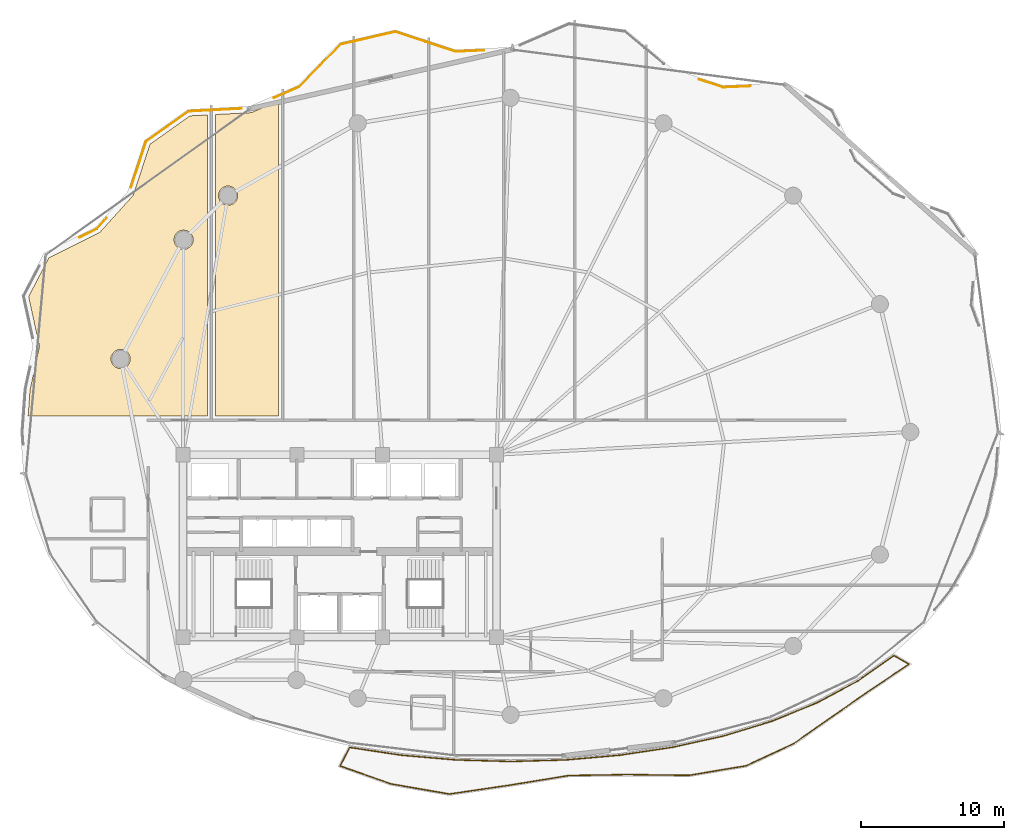
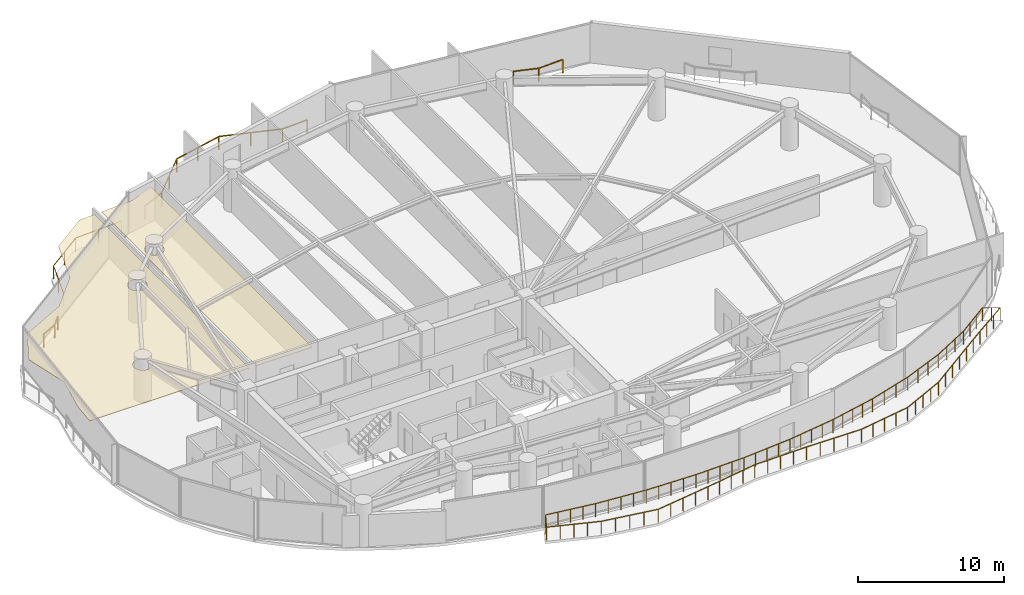
# One storey, part 32 of 33: 5 railings, 2 coverings.
"""IFC4 building model written with IfcOpenShell, lengths in metres."""

import ifcopenshell
import ifcopenshell.guid

model = None  # the IFC model being written
_history = None  # IfcOwnerHistory: only IFC2X3 demands one
_inside = {}  # id of a spatial element -> (the spatial element, [elements in it])
_under = {}  # id of a project, library or spatial element -> (it, [spatial elements below it])
_declared = {}  # id of a project -> (the project, [libraries it declares])
_typed = {}  # id of a type object -> (the type object, [elements of that type])
_made_of = {}  # id of a material, layer set ... -> (it, [elements and type objects made of it])


def new_model(schema):
    """Start an empty IFC model of exactly this schema.

    Asked for "IFC4X3", IfcOpenShell would pick the latest addendum, in which some entities
    have other attributes; the version numbers below select the first issue.
    IFC2X3 requires an IfcOwnerHistory on every rooted entity: one is made here for all.
    """
    global model, _history
    if schema == "IFC4X3":
        model = ifcopenshell.file(schema_version=(4, 3, 0, 0))
    else:
        model = ifcopenshell.file(schema=schema)
    _inside.clear()
    _under.clear()
    _declared.clear()
    _typed.clear()
    _made_of.clear()
    _history = None
    if model.schema == "IFC2X3":
        org = make("IfcOrganization", Name="unknown")
        user = make(
            "IfcPersonAndOrganization",
            ThePerson=make("IfcPerson", FamilyName="unknown"),
            TheOrganization=org,
        )
        app = make(
            "IfcApplication",
            ApplicationDeveloper=org,
            Version="unknown",
            ApplicationFullName="unknown",
            ApplicationIdentifier="unknown",
        )
        _history = make(
            "IfcOwnerHistory",
            OwningUser=user,
            OwningApplication=app,
            ChangeAction="ADDED",
            CreationDate=0,
        )
    return model


def make(cls, **values):
    """One entity of the class cls with the attributes given. An attribute that is None is left unset."""
    return model.create_entity(
        cls, **{name: value for name, value in values.items() if value is not None}
    )


def rooted(cls, **values):
    """An entity with a GlobalId (a new one), such as an element, a storey or a relation."""
    return make(cls, GlobalId=ifcopenshell.guid.new(), OwnerHistory=_history, **values)


def si_unit(unit_type, name, prefix=None):
    """IfcSIUnit, for example si_unit("LENGTHUNIT", "METRE", prefix="MILLI")."""
    return make("IfcSIUnit", UnitType=unit_type, Prefix=prefix, Name=name)


def assignment(units):
    """IfcUnitAssignment: the units of a project."""
    return None if units is None else make("IfcUnitAssignment", Units=units)


def point(xyz):
    """IfcCartesianPoint."""
    return None if xyz is None else make("IfcCartesianPoint", Coordinates=xyz)


def direction(xyz):
    """IfcDirection."""
    return None if xyz is None else make("IfcDirection", DirectionRatios=xyz)


def frame(location, z_axis=None, x_axis=None):
    """IfcAxis2Placement3D, a coordinate frame: its origin and axes. An axis left out is left unset."""
    return make(
        "IfcAxis2Placement3D",
        Location=point(location),
        Axis=direction(z_axis),
        RefDirection=direction(x_axis),
    )


def frame_2d(location, x_axis=None):
    """IfcAxis2Placement2D, a coordinate frame in the plane: its origin and x axis."""
    return make(
        "IfcAxis2Placement2D", Location=point(location), RefDirection=direction(x_axis)
    )


def origin():
    """The frame at (0, 0, 0) with its axes left unset."""
    return frame((0.0, 0.0, 0.0))


def origin_2d():
    """The frame at (0, 0) in the plane with its x axis left unset."""
    return frame_2d((0.0, 0.0))


def place(relative_to, where):
    """IfcLocalPlacement: puts the frame where relative to a parent placement (None: the world)."""
    return make(
        "IfcLocalPlacement", PlacementRelTo=relative_to, RelativePlacement=where
    )


def context(
    kind, dimensions, precision=None, world=None, true_north=None, identifier=None
):
    """IfcGeometricRepresentationContext, for example the 3D "Model" context."""
    return make(
        "IfcGeometricRepresentationContext",
        ContextIdentifier=identifier,
        ContextType=kind,
        CoordinateSpaceDimension=dimensions,
        Precision=precision,
        WorldCoordinateSystem=world,
        TrueNorth=true_north,
    )


def subcontext(parent, identifier, kind, view, scale=None):
    """IfcGeometricRepresentationSubContext, for example "Body" below "Model"."""
    return make(
        "IfcGeometricRepresentationSubContext",
        ContextIdentifier=identifier,
        ContextType=kind,
        ParentContext=parent,
        TargetScale=scale,
        TargetView=view,
    )


def project(units=None, contexts=None):
    """IfcProject with its units and contexts."""
    return rooted(
        "IfcProject",
        Name="project",
        RepresentationContexts=contexts,
        UnitsInContext=assignment(units),
    )


def spatial(cls, under=None, at=None, **own):
    """A site, building, storey or space (cls), placed at a placement, below another one or the project."""
    s = rooted(cls, ObjectPlacement=at, **own)
    if under is not None:
        _under.setdefault(under.id(), (under, []))[1].append(s)
    return s


def polyline(points):
    """IfcPolyline through the points."""
    return make("IfcPolyline", Points=[point(p) for p in points])


def profile(cls, at=None, kind="AREA", **sizes):
    """A parametric profile (cls). Its sizes go by their IFC names, for example OverallWidth=200.0."""
    return make(cls, ProfileType=kind, Position=at, **sizes)


def rectangle(**sizes):
    """IfcRectangleProfileDef."""
    return profile("IfcRectangleProfileDef", **sizes)


def outline(outer, holes=None, kind="AREA"):
    """IfcArbitraryClosedProfileDef: a profile drawn as a closed curve; with holes, ...WithVoids."""
    if holes is None:
        return make("IfcArbitraryClosedProfileDef", ProfileType=kind, OuterCurve=outer)
    return make(
        "IfcArbitraryProfileDefWithVoids",
        ProfileType=kind,
        OuterCurve=outer,
        InnerCurves=holes,
    )


def extrude(swept, where, along, depth):
    """IfcExtrudedAreaSolid: the profile swept, set in the frame where, extruded along a direction by depth."""
    return make(
        "IfcExtrudedAreaSolid",
        SweptArea=swept,
        Position=where,
        ExtrudedDirection=direction(along),
        Depth=depth,
    )


def shape(context_of_items, identifier, shape_type, items):
    """IfcShapeRepresentation: the items that make up one representation, for example the "Body"."""
    return make(
        "IfcShapeRepresentation",
        ContextOfItems=context_of_items,
        RepresentationIdentifier=identifier,
        RepresentationType=shape_type,
        Items=items,
    )


def material(Name=None, Category=None):
    """IfcMaterial."""
    return make("IfcMaterial", Name=Name, Category=Category)


def layer(
    of_material, thickness, ventilated=None, Name=None, Category=None, Priority=None
):
    """IfcMaterialLayer: one layer of a wall or slab, of a material (None: an air gap)."""
    return make(
        "IfcMaterialLayer",
        Material=of_material,
        LayerThickness=thickness,
        IsVentilated=ventilated,
        Name=Name,
        Category=Category,
        Priority=Priority,
    )


def layer_set(layers, Name=None):
    """IfcMaterialLayerSet."""
    return make("IfcMaterialLayerSet", MaterialLayers=layers, LayerSetName=Name)


def made_of(thing, what):
    """Note that an element or type object is made of a material, layer set ...; save() writes the relation."""
    if what is not None:
        _made_of.setdefault(what.id(), (what, []))[1].append(thing)
    return thing


def type_object(cls, material=None, **own):
    """A type object (cls), such as IfcWallType, which elements share."""
    return made_of(rooted(cls, **own), material)


def element(
    cls,
    number,
    at=None,
    inside=None,
    cuts=None,
    type_object=None,
    material=None,
    context=None,
    identifier="Body",
    shape_type=None,
    held_by="IfcProductDefinitionShape",
    body=None,
    shapes=None,
    **own,
):
    """One element of the class cls, such as IfcWall. Its Tag is "e" and its number.

    at: its placement. inside: the storey or other place that contains it. cuts: it is an
    opening in that element (IfcRelVoidsElement). A single representation is given by context,
    identifier, shape_type and body (its items); several are given by shapes. held_by: the class
    of the entity that holds the representations. save() writes the other relations.
    """
    e = rooted(cls, Tag="e%d" % number, ObjectPlacement=at, **own)
    if body is not None:
        shapes = [shape(context, identifier, shape_type, body)]
    if shapes is not None:
        e.Representation = make(held_by, Representations=shapes)
    if inside is not None:
        _inside.setdefault(inside.id(), (inside, []))[1].append(e)
    if cuts is not None:
        rooted(
            "IfcRelVoidsElement", RelatingBuildingElement=cuts, RelatedOpeningElement=e
        )
    if type_object is not None:
        _typed.setdefault(type_object.id(), (type_object, []))[1].append(e)
    return made_of(e, material)


def aggregate(whole, parts):
    """IfcRelAggregates: a whole, such as a stair, and the parts it consists of."""
    return rooted("IfcRelAggregates", RelatingObject=whole, RelatedObjects=parts)


def save(model, path):
    """Write the relations noted so far, then the file.

    IfcRelAggregates (storeys below a building ...), IfcRelContainedInSpatialStructure (elements
    in a storey), IfcRelDefinesByType, IfcRelAssociatesMaterial and IfcRelDeclares: one each for
    every whole, place, type object, material and project.
    """
    for whole, parts in _under.values():
        aggregate(whole, parts)
    for where, things in _inside.values():
        rooted(
            "IfcRelContainedInSpatialStructure",
            RelatedElements=things,
            RelatingStructure=where,
        )
    for kind, things in _typed.values():
        rooted("IfcRelDefinesByType", RelatedObjects=things, RelatingType=kind)
    for what, things in _made_of.values():
        rooted("IfcRelAssociatesMaterial", RelatedObjects=things, RelatingMaterial=what)
    for by, libraries in _declared.values():
        rooted("IfcRelDeclares", RelatingContext=by, RelatedDefinitions=libraries)
    model.write(path)


model = new_model("IFC4")

# Units and contexts
model_context = context("Model", 3, precision=1e-05, world=origin(), true_north=direction((0.0, 1.0)))
body_context = subcontext(model_context, "Body", "Model", "MODEL_VIEW")
ifc_project = project(units=[si_unit("LENGTHUNIT", "METRE"), si_unit("AREAUNIT", "SQUARE_METRE"), si_unit("VOLUMEUNIT", "CUBIC_METRE"), si_unit("PLANEANGLEUNIT", "RADIAN"), si_unit("MASSUNIT", "GRAM", prefix="KILO")], contexts=[model_context])

# Site, building, storey
site_placement = place(None, origin())
site = spatial("IfcSite", under=ifc_project, at=site_placement, CompositionType="ELEMENT")
building_placement = place(site_placement, origin())
building = spatial("IfcBuilding", under=site, at=building_placement, Name="Kazevale Care Tower and Concert Hall", CompositionType="ELEMENT")
storey_placement = place(building_placement, frame((0.0, 0.0, 153.0)))
storey = spatial("IfcBuildingStorey", under=building, at=storey_placement, Name="L40", CompositionType="ELEMENT", Elevation=153.0)

# Coverings
ifc_material_1 = material(Name="Acoustic Plaster and Hinoki Wood", Category="wood")
ifc_layer = layer(ifc_material_1, 0.0400390625)
ifc_layer_set = layer_set([ifc_layer], Name="Acoustic Plaster and Hinoki Wood")
covering_type = type_object("IfcCoveringType", Name="Acoustic Perforated Wood-Gypsum Ceiling", PredefinedType="CEILING", material=ifc_layer_set)
covering_1_placement = place(storey_placement, frame((0.0, 0.0, 2.7099609375)))
element("IfcCovering", 1, at=covering_1_placement, inside=storey, type_object=covering_type, Name="clg:L40:1", PredefinedType="CEILING", context=body_context, shape_type="SweptSolid", body=[
    extrude(outline(polyline([(11.93310546875, 44.008056640625), (11.175048828125, 47.4970703125), (12.589111328125, 50.216064453125), (16.156005859375, 51.991943359375), (18.511962890625, 54.597900390625), (19.68701171875, 58.18408203125), (22.493896484375, 60.181884765625), (23.719970703125, 60.24609375), (23.719970703125, 39.10498046875), (11.139892578125, 39.10498046875), (11.27294921875, 40.9580078125), (11.93310546875, 44.008056640625)]), holes=[polyline([(22.677978515625, 51.75), (22.531005859375, 51.970947265625), (22.31005859375, 52.117919921875), (22.050048828125, 52.169921875), (21.7900390625, 52.117919921875), (21.569091796875, 51.970947265625), (21.422119140625, 51.75), (21.3701171875, 51.489990234375), (21.422119140625, 51.22998046875), (21.569091796875, 51.009033203125), (21.7900390625, 50.862060546875), (22.050048828125, 50.81005859375), (22.31005859375, 50.862060546875), (22.531005859375, 51.009033203125), (22.677978515625, 51.22998046875), (22.72998046875, 51.489990234375), (22.677978515625, 51.75)]), polyline([(18.297119140625, 43.2529296875), (18.195068359375, 43.498046875), (18.008056640625, 43.68505859375), (17.762939453125, 43.787109375), (17.4970703125, 43.787109375), (17.251953125, 43.68505859375), (17.06494140625, 43.498046875), (16.962890625, 43.2529296875), (16.962890625, 42.987060546875), (17.06494140625, 42.741943359375), (17.251953125, 42.554931640625), (17.4970703125, 42.452880859375), (17.762939453125, 42.452880859375), (18.008056640625, 42.554931640625), (18.195068359375, 42.741943359375), (18.297119140625, 42.987060546875), (18.297119140625, 43.2529296875)])]), origin(), (0.0, 0.0, 1.0), 0.0400390625),
])
covering_2_placement = place(storey_placement, frame((0.0, 0.0, 2.7099609375)))
element("IfcCovering", 2, at=covering_2_placement, inside=storey, type_object=covering_type, Name="clg:L40:2", PredefinedType="CEILING", context=body_context, shape_type="SweptSolid", body=[
    extrude(outline(polyline([(28.719970703125, 39.10498046875), (24.280029296875, 39.10498046875), (24.280029296875, 60.27490234375), (26.804931640625, 60.406982421875), (28.719970703125, 61.237060546875), (28.719970703125, 39.10498046875)]), holes=[polyline([(25.8369140625, 54.712890625), (25.735107421875, 54.9580078125), (25.548095703125, 55.14501953125), (25.302978515625, 55.2470703125), (25.037109375, 55.2470703125), (24.7919921875, 55.14501953125), (24.60498046875, 54.9580078125), (24.5029296875, 54.712890625), (24.5029296875, 54.447021484375), (24.60498046875, 54.201904296875), (24.7919921875, 54.014892578125), (25.037109375, 53.9130859375), (25.302978515625, 53.9130859375), (25.548095703125, 54.014892578125), (25.735107421875, 54.201904296875), (25.8369140625, 54.447021484375), (25.8369140625, 54.712890625)])]), origin(), (0.0, 0.0, 1.0), 0.0400390625),
])

# Railings
ifc_material_2 = material(Name="Anodised Bronze Aluminium and Laminated Glass", Category="aluminium")
railing_type = type_object("IfcRailingType", Name="Balcony and Terrace Balustrade 1120", PredefinedType="BALUSTRADE", material=ifc_material_2)
railing_1_placement = place(storey_placement, frame((14.743896484375, 51.64599609375, 0.0)))
element("IfcRailing", 3, at=railing_1_placement, inside=storey, type_object=railing_type, Name="rail:L40:perim:3", PredefinedType="BALUSTRADE", context=body_context, shape_type="SweptSolid", body=[
    extrude(rectangle(XDim=0.048095703125, YDim=0.048095703125, at=origin_2d()), frame((0.0, 0.0, 1.09619140625), z_axis=(0.895181342234, 0.445702102885, 0.0), x_axis=(-0.445702102885, 0.895181342234, 0.0)), (0.0, 0.0, 1.0), 1.357421875),
    extrude(rectangle(XDim=0.048095703125, YDim=0.048095703125, at=origin_2d()), frame((1.215087890625, 0.60498046875, 1.09619140625), z_axis=(0.670216930837, 0.742165254926, 0.0), x_axis=(-0.742165254926, 0.670216930837, 0.0)), (0.0, 0.0, 1.0), 1.0009765625),
    extrude(rectangle(XDim=0.0419921875, YDim=0.0419921875, at=origin_2d()), origin(), (0.0, 0.0, 1.0), 1.072021484375),
    extrude(rectangle(XDim=0.0419921875, YDim=0.0419921875, at=origin_2d()), frame((1.215087890625, 0.60498046875, 0.0)), (0.0, 0.0, 1.0), 1.072021484375),
    extrude(rectangle(XDim=0.0419921875, YDim=0.0419921875, at=origin_2d()), frame((1.885986328125, 1.347900390625, 0.0)), (0.0, 0.0, 1.0), 1.072021484375),
])
railing_2_placement = place(storey_placement, frame((18.361083984375, 55.1640625, 0.0)))
element("IfcRailing", 4, at=railing_2_placement, inside=storey, type_object=railing_type, Name="rail:L40:perim:4", PredefinedType="BALUSTRADE", context=body_context, shape_type="SweptSolid", body=[
    extrude(rectangle(XDim=0.048095703125, YDim=0.048095703125, at=origin_2d()), frame((0.0, 0.0, 1.09619140625), z_axis=(0.31116334977, 0.95035644353, 0.0), x_axis=(-0.95035644353, 0.31116334977, 0.0)), (0.0, 0.0, 1.0), 3.38720703125),
    extrude(rectangle(XDim=0.048095703125, YDim=0.048095703125, at=origin_2d()), frame((1.053955078125, 3.218994140625, 1.09619140625), z_axis=(0.81472815081, 0.579843116953, 0.0), x_axis=(-0.579843116953, 0.81472815081, 0.0)), (0.0, 0.0, 1.0), 3.64404296875),
    extrude(rectangle(XDim=0.048095703125, YDim=0.048095703125, at=origin_2d()), frame((4.02294921875, 5.33203125, 1.09619140625), z_axis=(0.998638441981, 0.052165718614, 0.0), x_axis=(-0.052165718614, 0.998638441981, 0.0)), (0.0, 0.0, 1.0), 3.716064453125),
    extrude(rectangle(XDim=0.0419921875, YDim=0.0419921875, at=origin_2d()), origin(), (0.0, 0.0, 1.0), 1.072021484375),
    extrude(rectangle(XDim=0.0419921875, YDim=0.0419921875, at=origin_2d()), frame((0.52685546875, 1.609375, 0.0)), (0.0, 0.0, 1.0), 1.072021484375),
    extrude(rectangle(XDim=0.0419921875, YDim=0.0419921875, at=origin_2d()), frame((1.053955078125, 3.218994140625, 0.0)), (0.0, 0.0, 1.0), 1.072021484375),
    extrude(rectangle(XDim=0.0419921875, YDim=0.0419921875, at=origin_2d()), frame((2.53857421875, 4.275390625, 0.0)), (0.0, 0.0, 1.0), 1.072021484375),
    extrude(rectangle(XDim=0.0419921875, YDim=0.0419921875, at=origin_2d()), frame((4.02294921875, 5.33203125, 0.0)), (0.0, 0.0, 1.0), 1.072021484375),
    extrude(rectangle(XDim=0.0419921875, YDim=0.0419921875, at=origin_2d()), frame((5.87841796875, 5.428955078125, 0.0)), (0.0, 0.0, 1.0), 1.072021484375),
    extrude(rectangle(XDim=0.0419921875, YDim=0.0419921875, at=origin_2d()), frame((7.73388671875, 5.52587890625, 0.0)), (0.0, 0.0, 1.0), 1.072021484375),
])
railing_3_placement = place(storey_placement, frame((28.406982421875, 61.449951171875, 0.0)))
element("IfcRailing", 5, at=railing_3_placement, inside=storey, type_object=railing_type, Name="rail:L40:perim:5", PredefinedType="BALUSTRADE", context=body_context, shape_type="SweptSolid", body=[
    extrude(rectangle(XDim=0.048095703125, YDim=0.048095703125, at=origin_2d()), frame((0.0, 0.0, 1.09619140625), z_axis=(0.917259366497, 0.398290414866, 0.0), x_axis=(-0.398290414866, 0.917259366497, 0.0)), (0.0, 0.0, 1.0), 1.90576171875),
    extrude(rectangle(XDim=0.048095703125, YDim=0.048095703125, at=origin_2d()), frame((1.748046875, 0.759033203125, 1.09619140625), z_axis=(0.697682289334, 0.716407302551, 0.0), x_axis=(-0.716407302551, 0.697682289334, 0.0)), (0.0, 0.0, 1.0), 4.172119140625),
    extrude(rectangle(XDim=0.048095703125, YDim=0.048095703125, at=origin_2d()), frame((4.658935546875, 3.748046875, 1.09619140625), z_axis=(0.974660011093, 0.223691445471, 0.0), x_axis=(-0.223691445471, 0.974660011093, 0.0)), (0.0, 0.0, 1.0), 3.93896484375),
    extrude(rectangle(XDim=0.048095703125, YDim=0.048095703125, at=origin_2d()), frame((8.498046875, 4.629150390625, 1.09619140625), z_axis=(0.949878818656, -0.31261834538, 0.0), x_axis=(0.31261834538, 0.949878818656, 0.0)), (0.0, 0.0, 1.0), 4.44677734375),
    extrude(rectangle(XDim=0.048095703125, YDim=0.048095703125, at=origin_2d()), frame((12.721923828125, 3.239013671875, 1.09619140625), z_axis=(0.999018758403, 0.044289054622, 0.0), x_axis=(-0.044289054622, 0.999018758403, 0.0)), (0.0, 0.0, 1.0), 1.989990234375),
    extrude(rectangle(XDim=0.0419921875, YDim=0.0419921875, at=origin_2d()), origin(), (0.0, 0.0, 1.0), 1.072021484375),
    extrude(rectangle(XDim=0.0419921875, YDim=0.0419921875, at=origin_2d()), frame((1.748046875, 0.759033203125, 0.0)), (0.0, 0.0, 1.0), 1.072021484375),
    extrude(rectangle(XDim=0.0419921875, YDim=0.0419921875, at=origin_2d()), frame((3.20361328125, 2.25341796875, 0.0)), (0.0, 0.0, 1.0), 1.072021484375),
    extrude(rectangle(XDim=0.0419921875, YDim=0.0419921875, at=origin_2d()), frame((4.658935546875, 3.748046875, 0.0)), (0.0, 0.0, 1.0), 1.072021484375),
    extrude(rectangle(XDim=0.0419921875, YDim=0.0419921875, at=origin_2d()), frame((6.57861328125, 4.1884765625, 0.0)), (0.0, 0.0, 1.0), 1.072021484375),
    extrude(rectangle(XDim=0.0419921875, YDim=0.0419921875, at=origin_2d()), frame((8.498046875, 4.629150390625, 0.0)), (0.0, 0.0, 1.0), 1.072021484375),
    extrude(rectangle(XDim=0.0419921875, YDim=0.0419921875, at=origin_2d()), frame((10.60986328125, 3.93408203125, 0.0)), (0.0, 0.0, 1.0), 1.072021484375),
    extrude(rectangle(XDim=0.0419921875, YDim=0.0419921875, at=origin_2d()), frame((12.721923828125, 3.239013671875, 0.0)), (0.0, 0.0, 1.0), 1.072021484375),
    extrude(rectangle(XDim=0.0419921875, YDim=0.0419921875, at=origin_2d()), frame((14.7099609375, 3.3271484375, 0.0)), (0.0, 0.0, 1.0), 1.072021484375),
])
railing_4_placement = place(storey_placement, frame((58.218017578125, 62.73388671875, 0.0)))
element("IfcRailing", 6, at=railing_4_placement, inside=storey, type_object=railing_type, Name="rail:L40:perim:7", PredefinedType="BALUSTRADE", context=body_context, shape_type="SweptSolid", body=[
    extrude(rectangle(XDim=0.048095703125, YDim=0.048095703125, at=origin_2d()), frame((0.0, 0.0, 1.09619140625), z_axis=(0.950995651037, -0.309204255645, 0.0), x_axis=(0.309204255645, 0.950995651037, 0.0)), (0.0, 0.0, 1.0), 1.77490234375),
    extrude(rectangle(XDim=0.048095703125, YDim=0.048095703125, at=origin_2d()), frame((1.68798828125, -0.548828125, 1.09619140625), z_axis=(0.99909423761, 0.042552372143, 0.0), x_axis=(-0.042552372143, 0.99909423761, 0.0)), (0.0, 0.0, 1.0), 1.927734375),
    extrude(rectangle(XDim=0.0419921875, YDim=0.0419921875, at=origin_2d()), origin(), (0.0, 0.0, 1.0), 1.072021484375),
    extrude(rectangle(XDim=0.0419921875, YDim=0.0419921875, at=origin_2d()), frame((1.68798828125, -0.548828125, 0.0)), (0.0, 0.0, 1.0), 1.072021484375),
    extrude(rectangle(XDim=0.0419921875, YDim=0.0419921875, at=origin_2d()), frame((3.614013671875, -0.466796875, 0.0)), (0.0, 0.0, 1.0), 1.072021484375),
])
railing_5_placement = place(storey_placement, frame((33.702880859375, 15.861083984375, 0.0)))
element("IfcRailing", 7, at=railing_5_placement, inside=storey, type_object=railing_type, Name="rail:L40:balcony", PredefinedType="BALUSTRADE", context=body_context, shape_type="SweptSolid", body=[
    extrude(rectangle(XDim=0.048095703125, YDim=0.048095703125, at=origin_2d()), frame((0.0, 0.0, 1.09619140625), z_axis=(0.988898738041, -0.148591002089, 0.0), x_axis=(0.148591002089, 0.988898738041, 0.0)), (0.0, 0.0, 1.0), 3.6689453125),
    extrude(rectangle(XDim=0.048095703125, YDim=0.048095703125, at=origin_2d()), frame((3.628173828125, -0.545166015625, 1.09619140625), z_axis=(0.996251838222, -0.086500143585, 0.0), x_axis=(0.086500143585, 0.996251838222, 0.0)), (0.0, 0.0, 1.0), 3.824462890625),
    extrude(rectangle(XDim=0.048095703125, YDim=0.048095703125, at=origin_2d()), frame((7.438232421875, -0.8759765625, 1.09619140625), z_axis=(0.999593168995, -0.028521860004, 0.0), x_axis=(0.028521860004, 0.999593168995, 0.0)), (0.0, 0.0, 1.0), 3.8603515625),
    extrude(rectangle(XDim=0.048095703125, YDim=0.048095703125, at=origin_2d()), frame((11.297119140625, -0.986083984375, 1.09619140625), z_axis=(0.999593168995, 0.028521860004, 0.0), x_axis=(-0.028521860004, 0.999593168995, 0.0)), (0.0, 0.0, 1.0), 3.8603515625),
    extrude(rectangle(XDim=0.048095703125, YDim=0.048095703125, at=origin_2d()), frame((15.156005859375, -0.8759765625, 1.09619140625), z_axis=(0.996251838222, 0.086500143585, 0.0), x_axis=(-0.086500143585, 0.996251838222, 0.0)), (0.0, 0.0, 1.0), 3.824462890625),
    extrude(rectangle(XDim=0.048095703125, YDim=0.048095703125, at=origin_2d()), frame((18.966064453125, -0.545166015625, 1.09619140625), z_axis=(0.988903437953, 0.148559719995, 0.0), x_axis=(-0.148559719995, 0.988903437953, 0.0)), (0.0, 0.0, 1.0), 3.7568359375),
    extrude(rectangle(XDim=0.048095703125, YDim=0.048095703125, at=origin_2d()), frame((22.68115234375, 0.012939453125, 1.09619140625), z_axis=(0.9762591871, 0.216605631512, 0.0), x_axis=(-0.216605631512, 0.9762591871, 0.0)), (0.0, 0.0, 1.0), 3.660888671875),
    extrude(rectangle(XDim=0.048095703125, YDim=0.048095703125, at=origin_2d()), frame((26.255126953125, 0.805908203125, 1.09619140625), z_axis=(0.956153868694, 0.292864780028, 0.0), x_axis=(-0.292864780028, 0.956153868694, 0.0)), (0.0, 0.0, 1.0), 3.541259765625),
    extrude(rectangle(XDim=0.048095703125, YDim=0.048095703125, at=origin_2d()), frame((29.64111328125, 1.843017578125, 1.09619140625), z_axis=(0.925821569017, 0.377960874089, 0.0), x_axis=(-0.377960874089, 0.925821569017, 0.0)), (0.0, 0.0, 1.0), 3.409912109375),
    extrude(rectangle(XDim=0.048095703125, YDim=0.048095703125, at=origin_2d()), frame((32.798095703125, 3.1318359375, 1.09619140625), z_axis=(0.881173131857, 0.472793730598, 0.0), x_axis=(-0.472793730598, 0.881173131857, 0.0)), (0.0, 0.0, 1.0), 3.278564453125),
    extrude(rectangle(XDim=0.048095703125, YDim=0.048095703125, at=origin_2d()), frame((35.68701171875, 4.681884765625, 1.09619140625), z_axis=(0.818641866863, 0.574304356435, 0.0), x_axis=(-0.574304356435, 0.818641866863, 0.0)), (0.0, 0.0, 1.0), 3.073486328125),
    extrude(rectangle(XDim=0.048095703125, YDim=0.048095703125, at=origin_2d()), frame((38.203125, 6.447021484375, 1.09619140625), z_axis=(0.865532315274, -0.500853083465, 0.0), x_axis=(0.500853083465, 0.865532315274, 0.0)), (0.0, 0.0, 1.0), 1.20849609375),
    extrude(rectangle(XDim=0.048095703125, YDim=0.048095703125, at=origin_2d()), frame((39.2490234375, 5.841796875, 1.09619140625), z_axis=(-0.830846210316, -0.556502088768, 0.0), x_axis=(0.556502088768, -0.830846210316, 0.0)), (0.0, 0.0, 1.0), 3.12451171875),
    extrude(rectangle(XDim=0.048095703125, YDim=0.048095703125, at=origin_2d()), frame((36.653076171875, 4.10302734375, 1.09619140625), z_axis=(-0.821612902849, -0.570045820853, 0.0), x_axis=(0.570045820853, -0.821612902849, 0.0)), (0.0, 0.0, 1.0), 3.294677734375),
    extrude(rectangle(XDim=0.048095703125, YDim=0.048095703125, at=origin_2d()), frame((33.946044921875, 2.224853515625, 1.09619140625), z_axis=(-0.818241923671, -0.57487403346, 0.0), x_axis=(0.57487403346, -0.818241923671, 0.0)), (0.0, 0.0, 1.0), 3.398681640625),
    extrude(rectangle(XDim=0.048095703125, YDim=0.048095703125, at=origin_2d()), frame((31.1650390625, 0.27099609375, 1.09619140625), z_axis=(-0.906288077523, -0.422660526356, 0.0), x_axis=(0.422660526356, -0.906288077523, 0.0)), (0.0, 0.0, 1.0), 3.68408203125),
    extrude(rectangle(XDim=0.048095703125, YDim=0.048095703125, at=origin_2d()), frame((27.826171875, -1.2861328125, 1.09619140625), z_axis=(-0.986405218628, -0.164331204169, 0.0), x_axis=(0.164331204169, -0.986405218628, 0.0)), (0.0, 0.0, 1.0), 4.088623046875),
    extrude(rectangle(XDim=0.048095703125, YDim=0.048095703125, at=origin_2d()), frame((23.793212890625, -1.9580078125, 1.09619140625), z_axis=(-0.999924008454, 0.012327908064, 0.0), x_axis=(-0.012327908064, -0.999924008454, 0.0)), (0.0, 0.0, 1.0), 4.29736328125),
    extrude(rectangle(XDim=0.048095703125, YDim=0.048095703125, at=origin_2d()), frame((19.49609375, -1.905029296875, 1.09619140625), z_axis=(-0.999876578659, -0.015710743099, 0.0), x_axis=(0.015710743099, -0.999876578659, 0.0)), (0.0, 0.0, 1.0), 4.133544921875),
    extrude(rectangle(XDim=0.048095703125, YDim=0.048095703125, at=origin_2d()), frame((15.363037109375, -1.969970703125, 1.09619140625), z_axis=(-0.986839859292, -0.161700624959, 0.0), x_axis=(0.161700624959, -0.986839859292, 0.0)), (0.0, 0.0, 1.0), 4.138427734375),
    extrude(rectangle(XDim=0.048095703125, YDim=0.048095703125, at=origin_2d()), frame((11.279052734375, -2.63916015625, 1.09619140625), z_axis=(-0.989290630996, -0.14595906078, 0.0), x_axis=(0.14595906078, -0.989290630996, 0.0)), (0.0, 0.0, 1.0), 4.322265625),
    extrude(rectangle(XDim=0.048095703125, YDim=0.048095703125, at=origin_2d()), frame((7.003173828125, -3.27001953125, 1.09619140625), z_axis=(-0.985347658742, 0.170557882875, 0.0), x_axis=(-0.170557882875, -0.985347658742, 0.0)), (0.0, 0.0, 1.0), 4.15673828125),
    extrude(rectangle(XDim=0.048095703125, YDim=0.048095703125, at=origin_2d()), frame((2.9072265625, -2.56103515625, 1.09619140625), z_axis=(-0.942765547194, 0.33345632851, 0.0), x_axis=(-0.33345632851, -0.942765547194, 0.0)), (0.0, 0.0, 1.0), 3.793212890625),
    extrude(rectangle(XDim=0.048095703125, YDim=0.048095703125, at=origin_2d()), frame((-0.6689453125, -1.296142578125, 1.09619140625), z_axis=(0.458625865182, 0.888629459216, 0.0), x_axis=(-0.888629459216, 0.458625865182, 0.0)), (0.0, 0.0, 1.0), 1.45849609375),
    extrude(rectangle(XDim=0.0419921875, YDim=0.0419921875, at=origin_2d()), origin(), (0.0, 0.0, 1.0), 1.072021484375),
    extrude(rectangle(XDim=0.0419921875, YDim=0.0419921875, at=origin_2d()), frame((0.906982421875, -0.13623046875, 0.0)), (0.0, 0.0, 1.0), 1.072021484375),
    extrude(rectangle(XDim=0.0419921875, YDim=0.0419921875, at=origin_2d()), frame((1.81396484375, -0.2724609375, 0.0)), (0.0, 0.0, 1.0), 1.072021484375),
    extrude(rectangle(XDim=0.0419921875, YDim=0.0419921875, at=origin_2d()), frame((2.72119140625, -0.408935546875, 0.0)), (0.0, 0.0, 1.0), 1.072021484375),
    extrude(rectangle(XDim=0.0419921875, YDim=0.0419921875, at=origin_2d()), frame((3.628173828125, -0.545166015625, 0.0)), (0.0, 0.0, 1.0), 1.072021484375),
    extrude(rectangle(XDim=0.0419921875, YDim=0.0419921875, at=origin_2d()), frame((4.58056640625, -0.6279296875, 0.0)), (0.0, 0.0, 1.0), 1.072021484375),
    extrude(rectangle(XDim=0.0419921875, YDim=0.0419921875, at=origin_2d()), frame((5.533203125, -0.71044921875, 0.0)), (0.0, 0.0, 1.0), 1.072021484375),
    extrude(rectangle(XDim=0.0419921875, YDim=0.0419921875, at=origin_2d()), frame((6.48583984375, -0.793212890625, 0.0)), (0.0, 0.0, 1.0), 1.072021484375),
    extrude(rectangle(XDim=0.0419921875, YDim=0.0419921875, at=origin_2d()), frame((7.438232421875, -0.8759765625, 0.0)), (0.0, 0.0, 1.0), 1.072021484375),
    extrude(rectangle(XDim=0.0419921875, YDim=0.0419921875, at=origin_2d()), frame((8.40283203125, -0.903564453125, 0.0)), (0.0, 0.0, 1.0), 1.072021484375),
    extrude(rectangle(XDim=0.0419921875, YDim=0.0419921875, at=origin_2d()), frame((9.36767578125, -0.93115234375, 0.0)), (0.0, 0.0, 1.0), 1.072021484375),
    extrude(rectangle(XDim=0.0419921875, YDim=0.0419921875, at=origin_2d()), frame((10.33251953125, -0.95849609375, 0.0)), (0.0, 0.0, 1.0), 1.072021484375),
    extrude(rectangle(XDim=0.0419921875, YDim=0.0419921875, at=origin_2d()), frame((11.297119140625, -0.986083984375, 0.0)), (0.0, 0.0, 1.0), 1.072021484375),
    extrude(rectangle(XDim=0.0419921875, YDim=0.0419921875, at=origin_2d()), frame((12.26171875, -0.95849609375, 0.0)), (0.0, 0.0, 1.0), 1.072021484375),
    extrude(rectangle(XDim=0.0419921875, YDim=0.0419921875, at=origin_2d()), frame((13.2265625, -0.93115234375, 0.0)), (0.0, 0.0, 1.0), 1.072021484375),
    extrude(rectangle(XDim=0.0419921875, YDim=0.0419921875, at=origin_2d()), frame((14.19140625, -0.903564453125, 0.0)), (0.0, 0.0, 1.0), 1.072021484375),
    extrude(rectangle(XDim=0.0419921875, YDim=0.0419921875, at=origin_2d()), frame((15.156005859375, -0.8759765625, 0.0)), (0.0, 0.0, 1.0), 1.072021484375),
    extrude(rectangle(XDim=0.0419921875, YDim=0.0419921875, at=origin_2d()), frame((16.1083984375, -0.793212890625, 0.0)), (0.0, 0.0, 1.0), 1.072021484375),
    extrude(rectangle(XDim=0.0419921875, YDim=0.0419921875, at=origin_2d()), frame((17.06103515625, -0.71044921875, 0.0)), (0.0, 0.0, 1.0), 1.072021484375),
    extrude(rectangle(XDim=0.0419921875, YDim=0.0419921875, at=origin_2d()), frame((18.013671875, -0.6279296875, 0.0)), (0.0, 0.0, 1.0), 1.072021484375),
    extrude(rectangle(XDim=0.0419921875, YDim=0.0419921875, at=origin_2d()), frame((18.966064453125, -0.545166015625, 0.0)), (0.0, 0.0, 1.0), 1.072021484375),
    extrude(rectangle(XDim=0.0419921875, YDim=0.0419921875, at=origin_2d()), frame((19.894775390625, -0.40576171875, 0.0)), (0.0, 0.0, 1.0), 1.072021484375),
    extrude(rectangle(XDim=0.0419921875, YDim=0.0419921875, at=origin_2d()), frame((20.82373046875, -0.26611328125, 0.0)), (0.0, 0.0, 1.0), 1.072021484375),
    extrude(rectangle(XDim=0.0419921875, YDim=0.0419921875, at=origin_2d()), frame((21.75244140625, -0.12646484375, 0.0)), (0.0, 0.0, 1.0), 1.072021484375),
    extrude(rectangle(XDim=0.0419921875, YDim=0.0419921875, at=origin_2d()), frame((22.68115234375, 0.012939453125, 0.0)), (0.0, 0.0, 1.0), 1.072021484375),
    extrude(rectangle(XDim=0.0419921875, YDim=0.0419921875, at=origin_2d()), frame((23.57470703125, 0.211181640625, 0.0)), (0.0, 0.0, 1.0), 1.072021484375),
    extrude(rectangle(XDim=0.0419921875, YDim=0.0419921875, at=origin_2d()), frame((24.46826171875, 0.409423828125, 0.0)), (0.0, 0.0, 1.0), 1.072021484375),
    extrude(rectangle(XDim=0.0419921875, YDim=0.0419921875, at=origin_2d()), frame((25.361572265625, 0.607666015625, 0.0)), (0.0, 0.0, 1.0), 1.072021484375),
    extrude(rectangle(XDim=0.0419921875, YDim=0.0419921875, at=origin_2d()), frame((26.255126953125, 0.805908203125, 0.0)), (0.0, 0.0, 1.0), 1.072021484375),
    extrude(rectangle(XDim=0.0419921875, YDim=0.0419921875, at=origin_2d()), frame((27.3837890625, 1.151611328125, 0.0)), (0.0, 0.0, 1.0), 1.072021484375),
    extrude(rectangle(XDim=0.0419921875, YDim=0.0419921875, at=origin_2d()), frame((28.512451171875, 1.497314453125, 0.0)), (0.0, 0.0, 1.0), 1.072021484375),
    extrude(rectangle(XDim=0.0419921875, YDim=0.0419921875, at=origin_2d()), frame((29.64111328125, 1.843017578125, 0.0)), (0.0, 0.0, 1.0), 1.072021484375),
    extrude(rectangle(XDim=0.0419921875, YDim=0.0419921875, at=origin_2d()), frame((30.693359375, 2.272705078125, 0.0)), (0.0, 0.0, 1.0), 1.072021484375),
    extrude(rectangle(XDim=0.0419921875, YDim=0.0419921875, at=origin_2d()), frame((31.745849609375, 2.7021484375, 0.0)), (0.0, 0.0, 1.0), 1.072021484375),
    extrude(rectangle(XDim=0.0419921875, YDim=0.0419921875, at=origin_2d()), frame((32.798095703125, 3.1318359375, 0.0)), (0.0, 0.0, 1.0), 1.072021484375),
    extrude(rectangle(XDim=0.0419921875, YDim=0.0419921875, at=origin_2d()), frame((33.760986328125, 3.6484375, 0.0)), (0.0, 0.0, 1.0), 1.072021484375),
    extrude(rectangle(XDim=0.0419921875, YDim=0.0419921875, at=origin_2d()), frame((34.72412109375, 4.165283203125, 0.0)), (0.0, 0.0, 1.0), 1.072021484375),
    extrude(rectangle(XDim=0.0419921875, YDim=0.0419921875, at=origin_2d()), frame((35.68701171875, 4.681884765625, 0.0)), (0.0, 0.0, 1.0), 1.072021484375),
    extrude(rectangle(XDim=0.0419921875, YDim=0.0419921875, at=origin_2d()), frame((36.525634765625, 5.270263671875, 0.0)), (0.0, 0.0, 1.0), 1.072021484375),
    extrude(rectangle(XDim=0.0419921875, YDim=0.0419921875, at=origin_2d()), frame((37.364501953125, 5.858642578125, 0.0)), (0.0, 0.0, 1.0), 1.072021484375),
    extrude(rectangle(XDim=0.0419921875, YDim=0.0419921875, at=origin_2d()), frame((38.203125, 6.447021484375, 0.0)), (0.0, 0.0, 1.0), 1.072021484375),
    extrude(rectangle(XDim=0.0419921875, YDim=0.0419921875, at=origin_2d()), frame((38.72607421875, 6.14453125, 0.0)), (0.0, 0.0, 1.0), 1.072021484375),
    extrude(rectangle(XDim=0.0419921875, YDim=0.0419921875, at=origin_2d()), frame((39.2490234375, 5.841796875, 0.0)), (0.0, 0.0, 1.0), 1.072021484375),
    extrude(rectangle(XDim=0.0419921875, YDim=0.0419921875, at=origin_2d()), frame((38.3837890625, 5.26220703125, 0.0)), (0.0, 0.0, 1.0), 1.072021484375),
    extrude(rectangle(XDim=0.0419921875, YDim=0.0419921875, at=origin_2d()), frame((37.518310546875, 4.6826171875, 0.0)), (0.0, 0.0, 1.0), 1.072021484375),
    extrude(rectangle(XDim=0.0419921875, YDim=0.0419921875, at=origin_2d()), frame((36.653076171875, 4.10302734375, 0.0)), (0.0, 0.0, 1.0), 1.072021484375),
    extrude(rectangle(XDim=0.0419921875, YDim=0.0419921875, at=origin_2d()), frame((35.750732421875, 3.47705078125, 0.0)), (0.0, 0.0, 1.0), 1.072021484375),
    extrude(rectangle(XDim=0.0419921875, YDim=0.0419921875, at=origin_2d()), frame((34.848388671875, 2.850830078125, 0.0)), (0.0, 0.0, 1.0), 1.072021484375),
    extrude(rectangle(XDim=0.0419921875, YDim=0.0419921875, at=origin_2d()), frame((33.946044921875, 2.224853515625, 0.0)), (0.0, 0.0, 1.0), 1.072021484375),
    extrude(rectangle(XDim=0.0419921875, YDim=0.0419921875, at=origin_2d()), frame((33.01904296875, 1.573486328125, 0.0)), (0.0, 0.0, 1.0), 1.072021484375),
    extrude(rectangle(XDim=0.0419921875, YDim=0.0419921875, at=origin_2d()), frame((32.092041015625, 0.92236328125, 0.0)), (0.0, 0.0, 1.0), 1.072021484375),
    extrude(rectangle(XDim=0.0419921875, YDim=0.0419921875, at=origin_2d()), frame((31.1650390625, 0.27099609375, 0.0)), (0.0, 0.0, 1.0), 1.072021484375),
    extrude(rectangle(XDim=0.0419921875, YDim=0.0419921875, at=origin_2d()), frame((30.330322265625, -0.1181640625, 0.0)), (0.0, 0.0, 1.0), 1.072021484375),
    extrude(rectangle(XDim=0.0419921875, YDim=0.0419921875, at=origin_2d()), frame((29.49560546875, -0.507568359375, 0.0)), (0.0, 0.0, 1.0), 1.072021484375),
    extrude(rectangle(XDim=0.0419921875, YDim=0.0419921875, at=origin_2d()), frame((28.660888671875, -0.89697265625, 0.0)), (0.0, 0.0, 1.0), 1.072021484375),
    extrude(rectangle(XDim=0.0419921875, YDim=0.0419921875, at=origin_2d()), frame((27.826171875, -1.2861328125, 0.0)), (0.0, 0.0, 1.0), 1.072021484375),
    extrude(rectangle(XDim=0.0419921875, YDim=0.0419921875, at=origin_2d()), frame((26.81787109375, -1.4541015625, 0.0)), (0.0, 0.0, 1.0), 1.072021484375),
    extrude(rectangle(XDim=0.0419921875, YDim=0.0419921875, at=origin_2d()), frame((25.8095703125, -1.6220703125, 0.0)), (0.0, 0.0, 1.0), 1.072021484375),
    extrude(rectangle(XDim=0.0419921875, YDim=0.0419921875, at=origin_2d()), frame((24.801513671875, -1.7900390625, 0.0)), (0.0, 0.0, 1.0), 1.072021484375),
    extrude(rectangle(XDim=0.0419921875, YDim=0.0419921875, at=origin_2d()), frame((23.793212890625, -1.9580078125, 0.0)), (0.0, 0.0, 1.0), 1.072021484375),
    extrude(rectangle(XDim=0.0419921875, YDim=0.0419921875, at=origin_2d()), frame((22.718994140625, -1.94482421875, 0.0)), (0.0, 0.0, 1.0), 1.072021484375),
    extrude(rectangle(XDim=0.0419921875, YDim=0.0419921875, at=origin_2d()), frame((21.64453125, -1.931640625, 0.0)), (0.0, 0.0, 1.0), 1.072021484375),
    extrude(rectangle(XDim=0.0419921875, YDim=0.0419921875, at=origin_2d()), frame((20.5703125, -1.918212890625, 0.0)), (0.0, 0.0, 1.0), 1.072021484375),
    extrude(rectangle(XDim=0.0419921875, YDim=0.0419921875, at=origin_2d()), frame((19.49609375, -1.905029296875, 0.0)), (0.0, 0.0, 1.0), 1.072021484375),
    extrude(rectangle(XDim=0.0419921875, YDim=0.0419921875, at=origin_2d()), frame((18.462890625, -1.92138671875, 0.0)), (0.0, 0.0, 1.0), 1.072021484375),
    extrude(rectangle(XDim=0.0419921875, YDim=0.0419921875, at=origin_2d()), frame((17.4296875, -1.9375, 0.0)), (0.0, 0.0, 1.0), 1.072021484375),
    extrude(rectangle(XDim=0.0419921875, YDim=0.0419921875, at=origin_2d()), frame((16.396240234375, -1.95361328125, 0.0)), (0.0, 0.0, 1.0), 1.072021484375),
    extrude(rectangle(XDim=0.0419921875, YDim=0.0419921875, at=origin_2d()), frame((15.363037109375, -1.969970703125, 0.0)), (0.0, 0.0, 1.0), 1.072021484375),
    extrude(rectangle(XDim=0.0419921875, YDim=0.0419921875, at=origin_2d()), frame((14.342041015625, -2.13720703125, 0.0)), (0.0, 0.0, 1.0), 1.072021484375),
    extrude(rectangle(XDim=0.0419921875, YDim=0.0419921875, at=origin_2d()), frame((13.321044921875, -2.3046875, 0.0)), (0.0, 0.0, 1.0), 1.072021484375),
    extrude(rectangle(XDim=0.0419921875, YDim=0.0419921875, at=origin_2d()), frame((12.300048828125, -2.471923828125, 0.0)), (0.0, 0.0, 1.0), 1.072021484375),
    extrude(rectangle(XDim=0.0419921875, YDim=0.0419921875, at=origin_2d()), frame((11.279052734375, -2.63916015625, 0.0)), (0.0, 0.0, 1.0), 1.072021484375),
    extrude(rectangle(XDim=0.0419921875, YDim=0.0419921875, at=origin_2d()), frame((10.2099609375, -2.796875, 0.0)), (0.0, 0.0, 1.0), 1.072021484375),
    extrude(rectangle(XDim=0.0419921875, YDim=0.0419921875, at=origin_2d()), frame((9.14111328125, -2.95458984375, 0.0)), (0.0, 0.0, 1.0), 1.072021484375),
    extrude(rectangle(XDim=0.0419921875, YDim=0.0419921875, at=origin_2d()), frame((8.072265625, -3.1123046875, 0.0)), (0.0, 0.0, 1.0), 1.072021484375),
    extrude(rectangle(XDim=0.0419921875, YDim=0.0419921875, at=origin_2d()), frame((7.003173828125, -3.27001953125, 0.0)), (0.0, 0.0, 1.0), 1.072021484375),
    extrude(rectangle(XDim=0.0419921875, YDim=0.0419921875, at=origin_2d()), frame((5.979248046875, -3.0927734375, 0.0)), (0.0, 0.0, 1.0), 1.072021484375),
    extrude(rectangle(XDim=0.0419921875, YDim=0.0419921875, at=origin_2d()), frame((4.955078125, -2.91552734375, 0.0)), (0.0, 0.0, 1.0), 1.072021484375),
    extrude(rectangle(XDim=0.0419921875, YDim=0.0419921875, at=origin_2d()), frame((3.93115234375, -2.73828125, 0.0)), (0.0, 0.0, 1.0), 1.072021484375),
    extrude(rectangle(XDim=0.0419921875, YDim=0.0419921875, at=origin_2d()), frame((2.9072265625, -2.56103515625, 0.0)), (0.0, 0.0, 1.0), 1.072021484375),
    extrude(rectangle(XDim=0.0419921875, YDim=0.0419921875, at=origin_2d()), frame((2.01318359375, -2.244873046875, 0.0)), (0.0, 0.0, 1.0), 1.072021484375),
    extrude(rectangle(XDim=0.0419921875, YDim=0.0419921875, at=origin_2d()), frame((1.119140625, -1.9287109375, 0.0)), (0.0, 0.0, 1.0), 1.072021484375),
    extrude(rectangle(XDim=0.0419921875, YDim=0.0419921875, at=origin_2d()), frame((0.22509765625, -1.6123046875, 0.0)), (0.0, 0.0, 1.0), 1.072021484375),
    extrude(rectangle(XDim=0.0419921875, YDim=0.0419921875, at=origin_2d()), frame((-0.6689453125, -1.296142578125, 0.0)), (0.0, 0.0, 1.0), 1.072021484375),
    extrude(rectangle(XDim=0.0419921875, YDim=0.0419921875, at=origin_2d()), frame((-0.33447265625, -0.64794921875, 0.0)), (0.0, 0.0, 1.0), 1.072021484375),
])

save(model, "model.ifc")
